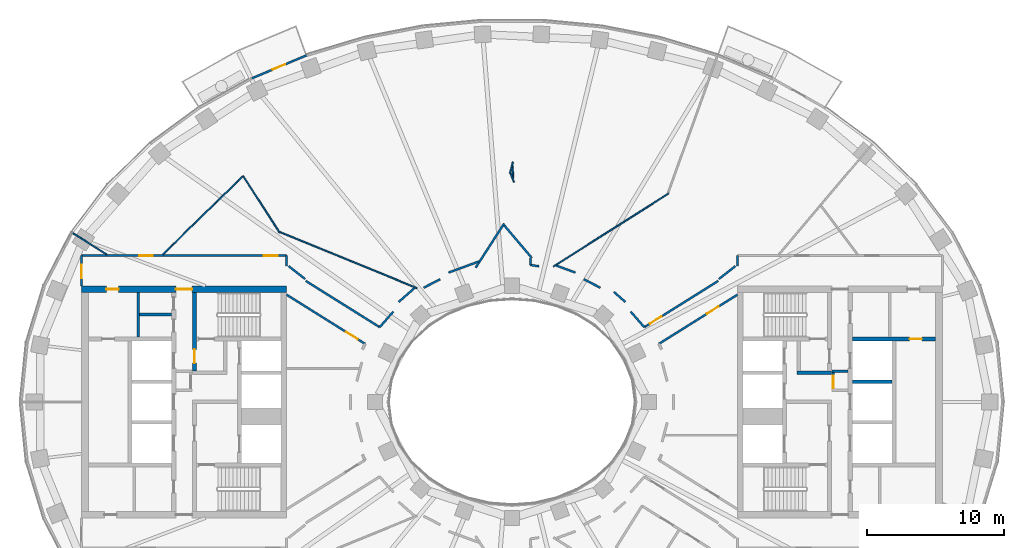
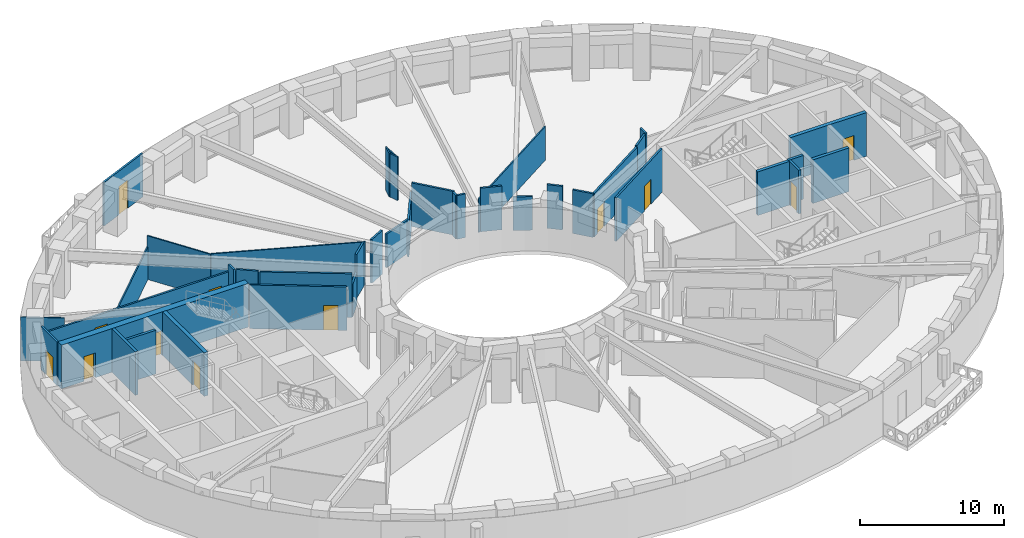
# One storey, part 6 of 15: 40 walls, 12 doors, 12 openings.
"""IFC4 building model written with IfcOpenShell, lengths in metres."""

import ifcopenshell
import ifcopenshell.guid

model = None  # the IFC model being written
_history = None  # IfcOwnerHistory: only IFC2X3 demands one
_inside = {}  # id of a spatial element -> (the spatial element, [elements in it])
_under = {}  # id of a project, library or spatial element -> (it, [spatial elements below it])
_declared = {}  # id of a project -> (the project, [libraries it declares])
_typed = {}  # id of a type object -> (the type object, [elements of that type])
_made_of = {}  # id of a material, layer set ... -> (it, [elements and type objects made of it])


def new_model(schema):
    """Start an empty IFC model of exactly this schema.

    Asked for "IFC4X3", IfcOpenShell would pick the latest addendum, in which some entities
    have other attributes; the version numbers below select the first issue.
    IFC2X3 requires an IfcOwnerHistory on every rooted entity: one is made here for all.
    """
    global model, _history
    if schema == "IFC4X3":
        model = ifcopenshell.file(schema_version=(4, 3, 0, 0))
    else:
        model = ifcopenshell.file(schema=schema)
    _inside.clear()
    _under.clear()
    _declared.clear()
    _typed.clear()
    _made_of.clear()
    _history = None
    if model.schema == "IFC2X3":
        org = make("IfcOrganization", Name="unknown")
        user = make(
            "IfcPersonAndOrganization",
            ThePerson=make("IfcPerson", FamilyName="unknown"),
            TheOrganization=org,
        )
        app = make(
            "IfcApplication",
            ApplicationDeveloper=org,
            Version="unknown",
            ApplicationFullName="unknown",
            ApplicationIdentifier="unknown",
        )
        _history = make(
            "IfcOwnerHistory",
            OwningUser=user,
            OwningApplication=app,
            ChangeAction="ADDED",
            CreationDate=0,
        )
    return model


def make(cls, **values):
    """One entity of the class cls with the attributes given. An attribute that is None is left unset."""
    return model.create_entity(
        cls, **{name: value for name, value in values.items() if value is not None}
    )


def rooted(cls, **values):
    """An entity with a GlobalId (a new one), such as an element, a storey or a relation."""
    return make(cls, GlobalId=ifcopenshell.guid.new(), OwnerHistory=_history, **values)


def si_unit(unit_type, name, prefix=None):
    """IfcSIUnit, for example si_unit("LENGTHUNIT", "METRE", prefix="MILLI")."""
    return make("IfcSIUnit", UnitType=unit_type, Prefix=prefix, Name=name)


def assignment(units):
    """IfcUnitAssignment: the units of a project."""
    return None if units is None else make("IfcUnitAssignment", Units=units)


def point(xyz):
    """IfcCartesianPoint."""
    return None if xyz is None else make("IfcCartesianPoint", Coordinates=xyz)


def direction(xyz):
    """IfcDirection."""
    return None if xyz is None else make("IfcDirection", DirectionRatios=xyz)


def frame(location, z_axis=None, x_axis=None):
    """IfcAxis2Placement3D, a coordinate frame: its origin and axes. An axis left out is left unset."""
    return make(
        "IfcAxis2Placement3D",
        Location=point(location),
        Axis=direction(z_axis),
        RefDirection=direction(x_axis),
    )


def frame_2d(location, x_axis=None):
    """IfcAxis2Placement2D, a coordinate frame in the plane: its origin and x axis."""
    return make(
        "IfcAxis2Placement2D", Location=point(location), RefDirection=direction(x_axis)
    )


def origin():
    """The frame at (0, 0, 0) with its axes left unset."""
    return frame((0.0, 0.0, 0.0))


def place(relative_to, where):
    """IfcLocalPlacement: puts the frame where relative to a parent placement (None: the world)."""
    return make(
        "IfcLocalPlacement", PlacementRelTo=relative_to, RelativePlacement=where
    )


def context(
    kind, dimensions, precision=None, world=None, true_north=None, identifier=None
):
    """IfcGeometricRepresentationContext, for example the 3D "Model" context."""
    return make(
        "IfcGeometricRepresentationContext",
        ContextIdentifier=identifier,
        ContextType=kind,
        CoordinateSpaceDimension=dimensions,
        Precision=precision,
        WorldCoordinateSystem=world,
        TrueNorth=true_north,
    )


def subcontext(parent, identifier, kind, view, scale=None):
    """IfcGeometricRepresentationSubContext, for example "Body" below "Model"."""
    return make(
        "IfcGeometricRepresentationSubContext",
        ContextIdentifier=identifier,
        ContextType=kind,
        ParentContext=parent,
        TargetScale=scale,
        TargetView=view,
    )


def project(units=None, contexts=None):
    """IfcProject with its units and contexts."""
    return rooted(
        "IfcProject",
        Name="project",
        RepresentationContexts=contexts,
        UnitsInContext=assignment(units),
    )


def spatial(cls, under=None, at=None, **own):
    """A site, building, storey or space (cls), placed at a placement, below another one or the project."""
    s = rooted(cls, ObjectPlacement=at, **own)
    if under is not None:
        _under.setdefault(under.id(), (under, []))[1].append(s)
    return s


def profile(cls, at=None, kind="AREA", **sizes):
    """A parametric profile (cls). Its sizes go by their IFC names, for example OverallWidth=200.0."""
    return make(cls, ProfileType=kind, Position=at, **sizes)


def rectangle(**sizes):
    """IfcRectangleProfileDef."""
    return profile("IfcRectangleProfileDef", **sizes)


def extrude(swept, where, along, depth):
    """IfcExtrudedAreaSolid: the profile swept, set in the frame where, extruded along a direction by depth."""
    return make(
        "IfcExtrudedAreaSolid",
        SweptArea=swept,
        Position=where,
        ExtrudedDirection=direction(along),
        Depth=depth,
    )


def shape(context_of_items, identifier, shape_type, items):
    """IfcShapeRepresentation: the items that make up one representation, for example the "Body"."""
    return make(
        "IfcShapeRepresentation",
        ContextOfItems=context_of_items,
        RepresentationIdentifier=identifier,
        RepresentationType=shape_type,
        Items=items,
    )


def material(Name=None, Category=None):
    """IfcMaterial."""
    return make("IfcMaterial", Name=Name, Category=Category)


def layer(
    of_material, thickness, ventilated=None, Name=None, Category=None, Priority=None
):
    """IfcMaterialLayer: one layer of a wall or slab, of a material (None: an air gap)."""
    return make(
        "IfcMaterialLayer",
        Material=of_material,
        LayerThickness=thickness,
        IsVentilated=ventilated,
        Name=Name,
        Category=Category,
        Priority=Priority,
    )


def layer_set(layers, Name=None):
    """IfcMaterialLayerSet."""
    return make("IfcMaterialLayerSet", MaterialLayers=layers, LayerSetName=Name)


def made_of(thing, what):
    """Note that an element or type object is made of a material, layer set ...; save() writes the relation."""
    if what is not None:
        _made_of.setdefault(what.id(), (what, []))[1].append(thing)
    return thing


def type_object(cls, material=None, **own):
    """A type object (cls), such as IfcWallType, which elements share."""
    return made_of(rooted(cls, **own), material)


def element(
    cls,
    number,
    at=None,
    inside=None,
    cuts=None,
    type_object=None,
    material=None,
    context=None,
    identifier="Body",
    shape_type=None,
    held_by="IfcProductDefinitionShape",
    body=None,
    shapes=None,
    **own,
):
    """One element of the class cls, such as IfcWall. Its Tag is "e" and its number.

    at: its placement. inside: the storey or other place that contains it. cuts: it is an
    opening in that element (IfcRelVoidsElement). A single representation is given by context,
    identifier, shape_type and body (its items); several are given by shapes. held_by: the class
    of the entity that holds the representations. save() writes the other relations.
    """
    e = rooted(cls, Tag="e%d" % number, ObjectPlacement=at, **own)
    if body is not None:
        shapes = [shape(context, identifier, shape_type, body)]
    if shapes is not None:
        e.Representation = make(held_by, Representations=shapes)
    if inside is not None:
        _inside.setdefault(inside.id(), (inside, []))[1].append(e)
    if cuts is not None:
        rooted(
            "IfcRelVoidsElement", RelatingBuildingElement=cuts, RelatedOpeningElement=e
        )
    if type_object is not None:
        _typed.setdefault(type_object.id(), (type_object, []))[1].append(e)
    return made_of(e, material)


def fill(opening, filler):
    """IfcRelFillsElement: the door or window that sits in an opening."""
    return rooted(
        "IfcRelFillsElement",
        RelatingOpeningElement=opening,
        RelatedBuildingElement=filler,
    )


def aggregate(whole, parts):
    """IfcRelAggregates: a whole, such as a stair, and the parts it consists of."""
    return rooted("IfcRelAggregates", RelatingObject=whole, RelatedObjects=parts)


def save(model, path):
    """Write the relations noted so far, then the file.

    IfcRelAggregates (storeys below a building ...), IfcRelContainedInSpatialStructure (elements
    in a storey), IfcRelDefinesByType, IfcRelAssociatesMaterial and IfcRelDeclares: one each for
    every whole, place, type object, material and project.
    """
    for whole, parts in _under.values():
        aggregate(whole, parts)
    for where, things in _inside.values():
        rooted(
            "IfcRelContainedInSpatialStructure",
            RelatedElements=things,
            RelatingStructure=where,
        )
    for kind, things in _typed.values():
        rooted("IfcRelDefinesByType", RelatedObjects=things, RelatingType=kind)
    for what, things in _made_of.values():
        rooted("IfcRelAssociatesMaterial", RelatedObjects=things, RelatingMaterial=what)
    for by, libraries in _declared.values():
        rooted("IfcRelDeclares", RelatingContext=by, RelatedDefinitions=libraries)
    model.write(path)


model = new_model("IFC4")

# Units and contexts
model_context = context("Model", 3, precision=1e-05, world=origin(), true_north=direction((0.0, 1.0)))
body_context = subcontext(model_context, "Body", "Model", "MODEL_VIEW")
ifc_project = project(units=[si_unit("LENGTHUNIT", "METRE"), si_unit("AREAUNIT", "SQUARE_METRE"), si_unit("VOLUMEUNIT", "CUBIC_METRE"), si_unit("PLANEANGLEUNIT", "RADIAN"), si_unit("MASSUNIT", "GRAM", prefix="KILO")], contexts=[model_context])

# Site, building, storey
site_placement = place(None, origin())
site = spatial("IfcSite", under=ifc_project, at=site_placement, CompositionType="ELEMENT")
building_placement = place(site_placement, origin())
building = spatial("IfcBuilding", under=site, at=building_placement, Name="Noorbagh Ring Tower", CompositionType="ELEMENT")
storey_placement = place(building_placement, frame((0.0, 0.0, 158.0)))
storey = spatial("IfcBuildingStorey", under=building, at=storey_placement, Name="L36", CompositionType="ELEMENT", Elevation=158.0)

# Walls
ifc_material_1 = material(Name="Gypsum board on steel studs", Category="steel")
ifc_layer_1 = layer(ifc_material_1, 0.199951171875)
ifc_layer_set_1 = layer_set([ifc_layer_1], Name="Gypsum board on steel studs")
wall_type_1 = type_object("IfcWallType", Name="CORE-PARTITION-200", PredefinedType="PARTITIONING", material=ifc_layer_set_1)
wall_1_placement = place(storey_placement, frame((-27.35009765625, 4.75, 0.0), z_axis=(0.0, 0.0, 1.0), x_axis=(0.0, 1.0, 0.0)))
element("IfcWall", 1, at=wall_1_placement, inside=storey, type_object=wall_type_1, Name="Core partition W", PredefinedType="PARTITIONING", context=body_context, shape_type="SweptSolid", body=[
    extrude(rectangle(XDim=3.25, YDim=0.199951171875, at=frame_2d((1.625, 0.0))), origin(), (0.0, 0.0, 1.0), 3.699951171875),
])
wall_2_placement = place(storey_placement, frame((-24.89990234375, 6.39990234375, 0.0), z_axis=(0.0, 0.0, 1.0), x_axis=(-1.0, 0.0, 0.0)))
element("IfcWall", 2, at=wall_2_placement, inside=storey, type_object=wall_type_1, Name="Core partition W", PredefinedType="PARTITIONING", context=body_context, shape_type="SweptSolid", body=[
    extrude(rectangle(XDim=2.35009765625, YDim=0.199951171875, at=frame_2d((1.175048828125, 0.0))), origin(), (0.0, 0.0, 1.0), 3.699951171875),
])
wall_3_placement = place(storey_placement, frame((23.39990234375, 2.25, 0.0), z_axis=(0.0, 0.0, 1.0), x_axis=(1.0, 0.0, 0.0)))
element("IfcWall", 3, at=wall_3_placement, inside=storey, type_object=wall_type_1, Name="Core partition E", PredefinedType="PARTITIONING", context=body_context, shape_type="SweptSolid", body=[
    extrude(rectangle(XDim=1.2001953125, YDim=0.199951171875, at=frame_2d((0.60009765625, 0.0))), origin(), (0.0, 0.0, 1.0), 3.699951171875),
])

# Wall, opening, door
wall_4_placement = place(storey_placement, frame((23.5, 0.75, 0.0), z_axis=(0.0, 0.0, 1.0), x_axis=(0.0, 1.0, 0.0)))
wall_4 = element("IfcWall", 4, at=wall_4_placement, inside=storey, type_object=wall_type_1, Name="Core partition E", PredefinedType="PARTITIONING", context=body_context, shape_type="SweptSolid", body=[
    extrude(rectangle(XDim=1.60009765625, YDim=0.199951171875, at=frame_2d((0.800048828125, 0.0))), origin(), (0.0, 0.0, 1.0), 3.699951171875),
])
opening_1_placement = place(wall_4_placement, frame((0.25, 0.0, 0.0)))
opening_1 = element("IfcOpeningElement", 5, at=opening_1_placement, cuts=wall_4, Name="Opening L36-CE17", PredefinedType="OPENING", context=body_context, shape_type="SweptSolid", body=[
    extrude(rectangle(XDim=0.89990234375, YDim=2.10009765625, at=frame_2d((0.449951171875, 1.050048828125))), frame((0.0, 0.10986328125, 0.0), z_axis=(0.0, -1.0, 0.0), x_axis=(1.0, 0.0, 0.0)), (0.0, 0.0, 1.0), 0.219970703125),
])
ifc_material_2 = material(Name="Steel door leaf", Category="steel")
door_type_1 = type_object("IfcDoorType", Name="CORE-DOOR-DROOM", OperationType="SINGLE_SWING_LEFT", PredefinedType="DOOR", material=ifc_material_2)
door_1_placement = place(opening_1_placement, origin())
door_1 = element("IfcDoor", 6, at=door_1_placement, inside=storey, type_object=door_type_1, Name="Core room door L36-CE17", OperationType="SINGLE_SWING_LEFT", OverallHeight=2.10009765625, OverallWidth=0.89990234375, PredefinedType="DOOR", context=body_context, shape_type="SweptSolid", body=[
    extrude(rectangle(XDim=0.89990234375, YDim=2.10009765625, at=frame_2d((0.449951171875, 1.050048828125))), frame((0.0, 0.02490234375, 0.0), z_axis=(0.0, -1.0, 0.0), x_axis=(1.0, 0.0, 0.0)), (0.0, 0.0, 1.0), 0.050048828125),
])
fill(opening_1, door_1)

# Walls
ifc_material_3 = material(Name="Concrete C60/75", Category="concrete")
ifc_layer_2 = layer(ifc_material_3, 0.25)
ifc_layer_set_2 = layer_set([ifc_layer_2], Name="Concrete C60/75")
wall_type_2 = type_object("IfcWallType", Name="CORE-WALL-250-C60-75-EI120", PredefinedType="SHEAR", material=ifc_layer_set_2)
wall_5_placement = place(storey_placement, frame((24.89990234375, 1.47509765625, 0.0), z_axis=(0.0, 0.0, 1.0), x_axis=(1.0, 0.0, 0.0)))
element("IfcWall", 7, at=wall_5_placement, inside=storey, type_object=wall_type_2, Name="Core wall E", PredefinedType="SHEAR", context=body_context, shape_type="SweptSolid", body=[
    extrude(rectangle(XDim=2.900146484375, YDim=0.25, at=frame_2d((1.4501953125, 0.0))), origin(), (0.0, 0.0, 1.0), 3.699951171875),
])
ifc_material_4 = material(Name="Concrete C60/75", Category="concrete")
ifc_layer_3 = layer(ifc_material_4, 0.25)
ifc_layer_set_3 = layer_set([ifc_layer_3], Name="Concrete C60/75")
wall_type_3 = type_object("IfcWallType", Name="CORE-WALL-250-C60-75-EI240", PredefinedType="SHEAR", material=ifc_layer_set_3)
wall_6_placement = place(storey_placement, frame((20.85009765625, 2.125, 0.0), z_axis=(0.0, 0.0, 1.0), x_axis=(1.0, 0.0, 0.0)))
element("IfcWall", 8, at=wall_6_placement, inside=storey, type_object=wall_type_3, Name="Core wall E", PredefinedType="SHEAR", context=body_context, shape_type="SweptSolid", body=[
    extrude(rectangle(XDim=2.52978515625, YDim=0.25, at=frame_2d((1.264892578125, 0.0))), origin(), (0.0, 0.0, 1.0), 3.699951171875),
])

# Wall, opening, door
ifc_material_5 = material(Name="Concrete C60/75", Category="concrete")
ifc_layer_4 = layer(ifc_material_5, 0.300048828125)
ifc_layer_set_4 = layer_set([ifc_layer_4], Name="Concrete C60/75")
wall_type_4 = type_object("IfcWallType", Name="CORE-WALL-300-C60-75-EI240", PredefinedType="SHEAR", material=ifc_layer_set_4)
wall_7_placement = place(storey_placement, frame((-23.22998046875, 2.25, 0.0), z_axis=(0.0, 0.0, 1.0), x_axis=(0.0, 1.0, 0.0)))
wall_7 = element("IfcWall", 9, at=wall_7_placement, inside=storey, type_object=wall_type_4, Name="Core wall W", PredefinedType="SHEAR", context=body_context, shape_type="SweptSolid", body=[
    extrude(rectangle(XDim=5.75, YDim=0.300048828125, at=frame_2d((2.875, 0.0))), origin(), (0.0, 0.0, 1.0), 3.699951171875),
])
opening_2_placement = place(wall_7_placement, frame((0.60009765625, 0.0, 0.0)))
opening_2 = element("IfcOpeningElement", 10, at=opening_2_placement, cuts=wall_7, Name="Opening L36-CW09", PredefinedType="OPENING", context=body_context, shape_type="SweptSolid", body=[
    extrude(rectangle(XDim=1.0, YDim=2.10009765625, at=frame_2d((0.5, 1.050048828125))), frame((0.0, 0.16015625, 0.0), z_axis=(0.0, -1.0, 0.0), x_axis=(1.0, 0.0, 0.0)), (0.0, 0.0, 1.0), 0.320068359375),
])
ifc_material_6 = material(Name="Steel door leaf", Category="steel")
door_type_2 = type_object("IfcDoorType", Name="CORE-DOOR-DVEST", OperationType="SINGLE_SWING_LEFT", PredefinedType="DOOR", material=ifc_material_6)
door_2_placement = place(opening_2_placement, origin())
door_2 = element("IfcDoor", 11, at=door_2_placement, inside=storey, type_object=door_type_2, Name="Stair vestibule door L36-CW09", OperationType="SINGLE_SWING_LEFT", OverallHeight=2.10009765625, OverallWidth=1.0, PredefinedType="DOOR", context=body_context, shape_type="SweptSolid", body=[
    extrude(rectangle(XDim=1.0, YDim=2.10009765625, at=frame_2d((0.5, 1.050048828125))), frame((0.0, 0.02490234375, 0.0), z_axis=(0.0, -1.0, 0.0), x_axis=(1.0, 0.0, 0.0)), (0.0, 0.0, 1.0), 0.050048828125),
])
fill(opening_2, door_2)

wall_8_placement = place(storey_placement, frame((24.89990234375, 4.60009765625, 0.0), z_axis=(0.0, 0.0, 1.0), x_axis=(1.0, 0.0, 0.0)))
wall_8 = element("IfcWall", 12, at=wall_8_placement, inside=storey, type_object=wall_type_4, Name="Core wall E", PredefinedType="SHEAR", context=body_context, shape_type="SweptSolid", body=[
    extrude(rectangle(XDim=6.10009765625, YDim=0.300048828125, at=frame_2d((3.050048828125, 0.0))), origin(), (0.0, 0.0, 1.0), 3.699951171875),
])
opening_3_placement = place(wall_8_placement, frame((4.199951171875, 0.0, 0.0)))
opening_3 = element("IfcOpeningElement", 13, at=opening_3_placement, cuts=wall_8, Name="Opening L36-CE18", PredefinedType="OPENING", context=body_context, shape_type="SweptSolid", body=[
    extrude(rectangle(XDim=0.89990234375, YDim=2.10009765625, at=frame_2d((0.449951171875, 1.050048828125))), frame((0.0, 0.16015625, 0.0), z_axis=(0.0, -1.0, 0.0), x_axis=(1.0, 0.0, 0.0)), (0.0, 0.0, 1.0), 0.320068359375),
])
door_3_placement = place(opening_3_placement, origin())
door_3 = element("IfcDoor", 14, at=door_3_placement, inside=storey, type_object=door_type_1, Name="Core room door L36-CE18", OperationType="SINGLE_SWING_RIGHT", OverallHeight=2.10009765625, OverallWidth=0.89990234375, PredefinedType="DOOR", context=body_context, shape_type="SweptSolid", body=[
    extrude(rectangle(XDim=0.89990234375, YDim=2.10009765625, at=frame_2d((0.449951171875, 1.050048828125))), frame((0.0, 0.02490234375, 0.0), z_axis=(0.0, -1.0, 0.0), x_axis=(1.0, 0.0, 0.0)), (0.0, 0.0, 1.0), 0.050048828125),
])
fill(opening_3, door_3)

# Wall, openings, doors
ifc_material_7 = material(Name="Concrete C60/75", Category="concrete")
ifc_layer_5 = layer(ifc_material_7, 0.5)
ifc_layer_set_5 = layer_set([ifc_layer_5], Name="Concrete C60/75")
wall_type_5 = type_object("IfcWallType", Name="CORE-WALL-500-C60-75-EI240", PredefinedType="SHEAR", material=ifc_layer_set_5)
wall_9_placement = place(storey_placement, frame((-16.5, 8.25, 0.0), z_axis=(0.0, 0.0, 1.0), x_axis=(-1.0, 0.0, 0.0)))
wall_9 = element("IfcWall", 15, at=wall_9_placement, inside=storey, type_object=wall_type_5, Name="Core wall W", PredefinedType="SHEAR", context=body_context, shape_type="SweptSolid", body=[
    extrude(rectangle(XDim=15.0, YDim=0.5, at=frame_2d((7.5, 0.0))), origin(), (0.0, 0.0, 1.0), 3.699951171875),
])
opening_4_placement = place(wall_9_placement, frame((6.89990234375, 0.0, 0.0)))
opening_4 = element("IfcOpeningElement", 16, at=opening_4_placement, cuts=wall_9, Name="Opening L36-CW10", PredefinedType="OPENING", context=body_context, shape_type="SweptSolid", body=[
    extrude(rectangle(XDim=1.199951171875, YDim=2.10009765625, at=frame_2d((0.60009765625, 1.050048828125))), frame((0.0, 0.260009765625, 0.0), z_axis=(0.0, -1.0, 0.0), x_axis=(1.0, 0.0, 0.0)), (0.0, 0.0, 1.0), 0.52001953125),
])
opening_5_placement = place(wall_9_placement, frame((12.27490234375, 0.0, 0.0)))
opening_5 = element("IfcOpeningElement", 17, at=opening_5_placement, cuts=wall_9, Name="Opening L36-CW14", PredefinedType="OPENING", context=body_context, shape_type="SweptSolid", body=[
    extrude(rectangle(XDim=0.89990234375, YDim=2.10009765625, at=frame_2d((0.449951171875, 1.050048828125))), frame((0.0, 0.260009765625, 0.0), z_axis=(0.0, -1.0, 0.0), x_axis=(1.0, 0.0, 0.0)), (0.0, 0.0, 1.0), 0.52001953125),
])
door_4_placement = place(opening_5_placement, origin())
door_4 = element("IfcDoor", 18, at=door_4_placement, inside=storey, type_object=door_type_1, Name="Core room door L36-CW14", OperationType="SINGLE_SWING_RIGHT", OverallHeight=2.10009765625, OverallWidth=0.89990234375, PredefinedType="DOOR", context=body_context, shape_type="SweptSolid", body=[
    extrude(rectangle(XDim=0.89990234375, YDim=2.10009765625, at=frame_2d((0.449951171875, 1.050048828125))), frame((0.0, 0.02490234375, 0.0), z_axis=(0.0, -1.0, 0.0), x_axis=(1.0, 0.0, 0.0)), (0.0, 0.0, 1.0), 0.050048828125),
])
fill(opening_5, door_4)
ifc_material_8 = material(Name="Steel door leaf", Category="steel")
door_type_3 = type_object("IfcDoorType", Name="CORE-DOOR-PORT", OperationType="DOUBLE_DOOR_DOUBLE_SWING", PredefinedType="DOOR", material=ifc_material_8)
door_5_placement = place(opening_4_placement, origin())
door_5 = element("IfcDoor", 19, at=door_5_placement, inside=storey, type_object=door_type_3, Name="Core entrance door L36-CW10", OperationType="DOUBLE_DOOR_DOUBLE_SWING", OverallHeight=2.10009765625, OverallWidth=1.199951171875, PredefinedType="DOOR", context=body_context, shape_type="SweptSolid", body=[
    extrude(rectangle(XDim=1.199951171875, YDim=2.10009765625, at=frame_2d((0.60009765625, 1.050048828125))), frame((0.0, 0.02490234375, 0.0), z_axis=(0.0, -1.0, 0.0), x_axis=(1.0, 0.0, 0.0)), (0.0, 0.0, 1.0), 0.050048828125),
])
fill(opening_4, door_5)

# Wall, opening, door
ifc_material_9 = material(Name="Gypsum board on steel studs", Category="steel")
ifc_layer_6 = layer(ifc_material_9, 0.14990234375)
ifc_layer_set_6 = layer_set([ifc_layer_6], Name="Gypsum board on steel studs")
wall_type_6 = type_object("IfcWallType", Name="CORRIDOR PARTITION 150 EI 30", PredefinedType="PARTITIONING", material=ifc_layer_set_6)
wall_10_placement = place(storey_placement, frame((-31.5, 8.5, 0.0), z_axis=(0.0, 0.0, 1.0), x_axis=(0.0, 1.0, 0.0)))
wall_10 = element("IfcWall", 20, at=wall_10_placement, inside=storey, type_object=wall_type_6, Name="L36/wall/P06", PredefinedType="PARTITIONING", context=body_context, shape_type="SweptSolid", body=[
    extrude(rectangle(XDim=2.199951171875, YDim=0.14990234375, at=frame_2d((1.10009765625, 0.0))), origin(), (0.0, 0.0, 1.0), 3.699951171875),
])
opening_6_placement = place(wall_10_placement, frame((0.550048828125, 0.0, 0.0)))
opening_6 = element("IfcOpeningElement", 21, at=opening_6_placement, cuts=wall_10, Name="Opening D1", PredefinedType="OPENING", context=body_context, shape_type="SweptSolid", body=[
    extrude(rectangle(XDim=1.0, YDim=2.10009765625, at=frame_2d((0.5, 1.050048828125))), frame((0.0, 0.0849609375, 0.0), z_axis=(0.0, -1.0, 0.0), x_axis=(1.0, 0.0, 0.0)), (0.0, 0.0, 1.0), 0.169921875),
])
ifc_material_10 = material(Name="Timber, painted", Category="wood")
door_type_4 = type_object("IfcDoorType", Name="DOOR 1000 X 2100 FD30", OperationType="SINGLE_SWING_LEFT", PredefinedType="DOOR", material=ifc_material_10)
door_6_placement = place(opening_6_placement, origin())
door_6 = element("IfcDoor", 22, at=door_6_placement, inside=storey, type_object=door_type_4, Name="L36-D07", OperationType="SINGLE_SWING_LEFT", OverallHeight=2.10009765625, OverallWidth=1.0, PredefinedType="DOOR", context=body_context, shape_type="SweptSolid", body=[
    extrude(rectangle(XDim=1.0, YDim=2.10009765625, at=frame_2d((0.5, 1.050048828125))), frame((0.0, 0.02490234375, 0.0), z_axis=(0.0, -1.0, 0.0), x_axis=(1.0, 0.0, 0.0)), (0.0, 0.0, 1.0), 0.050048828125),
])
fill(opening_6, door_6)

# Wall, openings, doors
wall_11_placement = place(storey_placement, frame((-31.5, 10.699951171875, 0.0), z_axis=(0.0, 0.0, 1.0), x_axis=(1.0, 0.0, 0.0)))
wall_11 = element("IfcWall", 23, at=wall_11_placement, inside=storey, type_object=wall_type_6, Name="L36/wall/P07", PredefinedType="PARTITIONING", context=body_context, shape_type="SweptSolid", body=[
    extrude(rectangle(XDim=15.0, YDim=0.14990234375, at=frame_2d((7.5, 0.0))), origin(), (0.0, 0.0, 1.0), 3.10009765625),
])
opening_7_placement = place(wall_11_placement, frame((4.2099609375, 0.0, 0.0)))
opening_7 = element("IfcOpeningElement", 24, at=opening_7_placement, cuts=wall_11, Name="Opening D1", PredefinedType="OPENING", context=body_context, shape_type="SweptSolid", body=[
    extrude(rectangle(XDim=1.0, YDim=2.10009765625, at=frame_2d((0.5, 1.050048828125))), frame((0.0, 0.0849609375, 0.0), z_axis=(0.0, -1.0, 0.0), x_axis=(1.0, 0.0, 0.0)), (0.0, 0.0, 1.0), 0.169921875),
])
opening_8_placement = place(wall_11_placement, frame((13.35009765625, 0.0, 0.0)))
opening_8 = element("IfcOpeningElement", 25, at=opening_8_placement, cuts=wall_11, Name="Opening D1", PredefinedType="OPENING", context=body_context, shape_type="SweptSolid", body=[
    extrude(rectangle(XDim=1.0, YDim=2.10009765625, at=frame_2d((0.5, 1.050048828125))), frame((0.0, 0.0849609375, 0.0), z_axis=(0.0, -1.0, 0.0), x_axis=(1.0, 0.0, 0.0)), (0.0, 0.0, 1.0), 0.169921875),
])
door_7_placement = place(opening_7_placement, origin())
door_7 = element("IfcDoor", 26, at=door_7_placement, inside=storey, type_object=door_type_4, Name="L36-D09", OperationType="SINGLE_SWING_LEFT", OverallHeight=2.10009765625, OverallWidth=1.0, PredefinedType="DOOR", context=body_context, shape_type="SweptSolid", body=[
    extrude(rectangle(XDim=1.0, YDim=2.10009765625, at=frame_2d((0.5, 1.050048828125))), frame((0.0, 0.02490234375, 0.0), z_axis=(0.0, -1.0, 0.0), x_axis=(1.0, 0.0, 0.0)), (0.0, 0.0, 1.0), 0.050048828125),
])
fill(opening_7, door_7)
door_8_placement = place(opening_8_placement, origin())
door_8 = element("IfcDoor", 27, at=door_8_placement, inside=storey, type_object=door_type_4, Name="L36-D11", OperationType="SINGLE_SWING_LEFT", OverallHeight=2.10009765625, OverallWidth=1.0, PredefinedType="DOOR", context=body_context, shape_type="SweptSolid", body=[
    extrude(rectangle(XDim=1.0, YDim=2.10009765625, at=frame_2d((0.5, 1.050048828125))), frame((0.0, 0.02490234375, 0.0), z_axis=(0.0, -1.0, 0.0), x_axis=(1.0, 0.0, 0.0)), (0.0, 0.0, 1.0), 0.050048828125),
])
fill(opening_8, door_8)

# Wall
wall_12_placement = place(storey_placement, frame((-16.5, 9.964111328125, 0.0), z_axis=(0.0, 0.0, 1.0), x_axis=(0.0, 1.0, 0.0)))
element("IfcWall", 28, at=wall_12_placement, inside=storey, type_object=wall_type_6, Name="L36/wall/P16", PredefinedType="PARTITIONING", context=body_context, shape_type="SweptSolid", body=[
    extrude(rectangle(XDim=0.73583984375, YDim=0.14990234375, at=frame_2d((0.367919921875, 0.0))), origin(), (0.0, 0.0, 1.0), 3.699951171875),
])

# Wall, opening, door
wall_13_placement = place(storey_placement, frame((-16.5, 7.85107421875, 0.0), z_axis=(0.0, 0.0, 1.0), x_axis=(0.847690706888, -0.530490777917, 0.0)))
wall_13 = element("IfcWall", 29, at=wall_13_placement, inside=storey, type_object=wall_type_6, Name="L36/wall/P18", PredefinedType="PARTITIONING", context=body_context, shape_type="SweptSolid", body=[
    extrude(rectangle(XDim=6.78076171875, YDim=0.14990234375, at=frame_2d((3.390380859375, 0.0))), origin(), (0.0, 0.0, 1.0), 3.699951171875),
])
opening_9_placement = place(wall_13_placement, frame((5.1513671875, 0.0, 0.0)))
opening_9 = element("IfcOpeningElement", 30, at=opening_9_placement, cuts=wall_13, Name="Opening D1", PredefinedType="OPENING", context=body_context, shape_type="SweptSolid", body=[
    extrude(rectangle(XDim=1.0, YDim=2.10009765625, at=frame_2d((0.5, 1.050048828125))), frame((0.0, 0.0849609375, 0.0), z_axis=(0.0, -1.0, 0.0), x_axis=(1.0, 0.0, 0.0)), (0.0, 0.0, 1.0), 0.169921875),
])
door_9_placement = place(opening_9_placement, origin())
door_9 = element("IfcDoor", 31, at=door_9_placement, inside=storey, type_object=door_type_4, Name="L36-D18", OperationType="SINGLE_SWING_RIGHT", OverallHeight=2.10009765625, OverallWidth=1.0, PredefinedType="DOOR", context=body_context, shape_type="SweptSolid", body=[
    extrude(rectangle(XDim=1.0, YDim=2.10009765625, at=frame_2d((0.5, 1.050048828125))), frame((0.0, 0.02490234375, 0.0), z_axis=(0.0, -1.0, 0.0), x_axis=(1.0, 0.0, 0.0)), (0.0, 0.0, 1.0), 0.050048828125),
])
fill(opening_9, door_9)

# Walls
wall_14_placement = place(storey_placement, frame((-15.089111328125, 8.85595703125, 0.0), z_axis=(0.0, 0.0, 1.0), x_axis=(0.847602682855, -0.530631408811, 0.0)))
element("IfcWall", 32, at=wall_14_placement, inside=storey, type_object=wall_type_6, Name="L36/wall/P20", PredefinedType="PARTITIONING", context=body_context, shape_type="SweptSolid", body=[
    extrude(rectangle(XDim=6.3828125, YDim=0.14990234375, at=frame_2d((3.19140625, 0.0))), origin(), (0.0, 0.0, 1.0), 3.699951171875),
])
wall_15_placement = place(storey_placement, frame((-9.678955078125, 5.468994140625, 0.0), z_axis=(0.0, 0.0, 1.0), x_axis=(0.656454677423, 0.75436546613, 0.0)))
element("IfcWall", 33, at=wall_15_placement, inside=storey, type_object=wall_type_6, Name="L36/wall/P27", PredefinedType="PARTITIONING", context=body_context, shape_type="SweptSolid", body=[
    extrude(rectangle(XDim=1.510986328125, YDim=0.14990234375, at=frame_2d((0.75537109375, 0.0))), origin(), (0.0, 0.0, 1.0), 2.75),
])
wall_16_placement = place(storey_placement, frame((-8.283935546875, 7.322021484375, 0.0), z_axis=(0.0, 0.0, 1.0), x_axis=(0.750666784408, 0.660680996235, 0.0)))
element("IfcWall", 34, at=wall_16_placement, inside=storey, type_object=wall_type_6, Name="L36/wall/P29", PredefinedType="PARTITIONING", context=body_context, shape_type="SweptSolid", body=[
    extrude(rectangle(XDim=1.5546875, YDim=0.14990234375, at=frame_2d((0.77734375, 0.0))), origin(), (0.0, 0.0, 1.0), 3.699951171875),
])
wall_17_placement = place(storey_placement, frame((-6.466064453125, 8.35595703125, 0.0), z_axis=(0.0, 0.0, 1.0), x_axis=(0.889472002788, 0.456989667559, 0.0)))
element("IfcWall", 35, at=wall_17_placement, inside=storey, type_object=wall_type_6, Name="L36/wall/P31", PredefinedType="PARTITIONING", context=body_context, shape_type="SweptSolid", body=[
    extrude(rectangle(XDim=1.354736328125, YDim=0.14990234375, at=frame_2d((0.67724609375, 0.0))), origin(), (0.0, 0.0, 1.0), 3.699951171875),
])
wall_18_placement = place(storey_placement, frame((-4.635986328125, 9.468017578125, 0.0), z_axis=(0.0, 0.0, 1.0), x_axis=(0.939059239116, 0.343755356949, 0.0)))
element("IfcWall", 36, at=wall_18_placement, inside=storey, type_object=wall_type_6, Name="L36/wall/P33", PredefinedType="PARTITIONING", context=body_context, shape_type="SweptSolid", body=[
    extrude(rectangle(XDim=2.3564453125, YDim=0.14990234375, at=frame_2d((1.17822265625, 0.0))), origin(), (0.0, 0.0, 1.0), 2.85009765625),
])
wall_19_placement = place(storey_placement, frame((-2.659912109375, 9.826904296875, 0.0), z_axis=(0.0, 0.0, 1.0), x_axis=(0.54249361556, 0.840059924694, 0.0)))
element("IfcWall", 37, at=wall_19_placement, inside=storey, type_object=wall_type_6, Name="L36/wall/P35", PredefinedType="PARTITIONING", context=body_context, shape_type="SweptSolid", body=[
    extrude(rectangle(XDim=3.835693359375, YDim=0.14990234375, at=frame_2d((1.91796875, 0.0))), origin(), (0.0, 0.0, 1.0), 2.85009765625),
])
wall_20_placement = place(storey_placement, frame((-0.571044921875, 12.923095703125, 0.0), z_axis=(0.0, 0.0, 1.0), x_axis=(0.646508532989, -0.762906754966, 0.0)))
element("IfcWall", 38, at=wall_20_placement, inside=storey, type_object=wall_type_6, Name="L36/wall/P37", PredefinedType="PARTITIONING", context=body_context, shape_type="SweptSolid", body=[
    extrude(rectangle(XDim=3.110595703125, YDim=0.14990234375, at=frame_2d((1.55517578125, 0.0))), origin(), (0.0, 0.0, 1.0), 3.699951171875),
])
wall_21_placement = place(storey_placement, frame((1.340087890625, 10.02197265625, 0.0), z_axis=(0.0, 0.0, 1.0), x_axis=(0.047890193459, 0.998852606429, 0.0)))
element("IfcWall", 39, at=wall_21_placement, inside=storey, type_object=wall_type_6, Name="L36/wall/P46", PredefinedType="PARTITIONING", context=body_context, shape_type="SweptSolid", body=[
    extrude(rectangle(XDim=0.49951171875, YDim=0.14990234375, at=frame_2d((0.249755859375, 0.0))), origin(), (0.0, 0.0, 1.0), 3.699951171875),
])
wall_22_placement = place(storey_placement, frame((1.340087890625, 10.02197265625, 0.0), z_axis=(0.0, 0.0, 1.0), x_axis=(0.988526694698, -0.151046264003, 0.0)))
element("IfcWall", 40, at=wall_22_placement, inside=storey, type_object=wall_type_6, Name="L36/wall/P47", PredefinedType="PARTITIONING", context=body_context, shape_type="SweptSolid", body=[
    extrude(rectangle(XDim=0.63525390625, YDim=0.14990234375, at=frame_2d((0.317626953125, 0.0))), origin(), (0.0, 0.0, 1.0), 3.699951171875),
])
wall_23_placement = place(storey_placement, frame((3.221923828125, 9.986083984375, 0.0), z_axis=(0.0, 0.0, 1.0), x_axis=(0.938967105432, -0.344006940215, 0.0)))
element("IfcWall", 41, at=wall_23_placement, inside=storey, type_object=wall_type_6, Name="L36/wall/P51", PredefinedType="PARTITIONING", context=body_context, shape_type="SweptSolid", body=[
    extrude(rectangle(XDim=1.505859375, YDim=0.14990234375, at=frame_2d((0.7529296875, 0.0))), origin(), (0.0, 0.0, 1.0), 3.699951171875),
])
wall_24_placement = place(storey_placement, frame((5.260986328125, 8.97509765625, 0.0), z_axis=(0.0, 0.0, 1.0), x_axis=(0.889472002788, -0.456989667559, 0.0)))
element("IfcWall", 42, at=wall_24_placement, inside=storey, type_object=wall_type_6, Name="L36/wall/P53", PredefinedType="PARTITIONING", context=body_context, shape_type="SweptSolid", body=[
    extrude(rectangle(XDim=1.354736328125, YDim=0.14990234375, at=frame_2d((0.67724609375, 0.0))), origin(), (0.0, 0.0, 1.0), 2.85009765625),
])
wall_25_placement = place(storey_placement, frame((7.4580078125, 8.049072265625, 0.0), z_axis=(0.0, 0.0, 1.0), x_axis=(0.75060787095, -0.660747927782, 0.0)))
element("IfcWall", 43, at=wall_25_placement, inside=storey, type_object=wall_type_6, Name="L36/wall/P55", PredefinedType="PARTITIONING", context=body_context, shape_type="SweptSolid", body=[
    extrude(rectangle(XDim=1.100341796875, YDim=0.14990234375, at=frame_2d((0.55029296875, 0.0))), origin(), (0.0, 0.0, 1.0), 3.699951171875),
])
wall_26_placement = place(storey_placement, frame((8.68701171875, 6.60888671875, 0.0), z_axis=(0.0, 0.0, 1.0), x_axis=(0.656454677423, -0.75436546613, 0.0)))
element("IfcWall", 44, at=wall_26_placement, inside=storey, type_object=wall_type_6, Name="L36/wall/P59", PredefinedType="PARTITIONING", context=body_context, shape_type="SweptSolid", body=[
    extrude(rectangle(XDim=1.510986328125, YDim=0.14990234375, at=frame_2d((0.75537109375, 0.0))), origin(), (0.0, 0.0, 1.0), 3.699951171875),
])

# Wall, opening, door
wall_27_placement = place(storey_placement, frame((9.678955078125, 5.468994140625, 0.0), z_axis=(0.0, 0.0, 1.0), x_axis=(0.847602682855, 0.530631408811, 0.0)))
wall_27 = element("IfcWall", 45, at=wall_27_placement, inside=storey, type_object=wall_type_6, Name="L36/wall/P62", PredefinedType="PARTITIONING", context=body_context, shape_type="SweptSolid", body=[
    extrude(rectangle(XDim=6.3828125, YDim=0.14990234375, at=frame_2d((3.19140625, 0.0))), origin(), (0.0, 0.0, 1.0), 3.699951171875),
])
opening_10_placement = place(wall_27_placement, frame((0.48291015625, 0.0, 0.0)))
opening_10 = element("IfcOpeningElement", 46, at=opening_10_placement, cuts=wall_27, Name="Opening D1", PredefinedType="OPENING", context=body_context, shape_type="SweptSolid", body=[
    extrude(rectangle(XDim=1.0, YDim=2.10009765625, at=frame_2d((0.5, 1.050048828125))), frame((0.0, 0.0849609375, 0.0), z_axis=(0.0, -1.0, 0.0), x_axis=(1.0, 0.0, 0.0)), (0.0, 0.0, 1.0), 0.169921875),
])
door_10_placement = place(opening_10_placement, origin())
door_10 = element("IfcDoor", 47, at=door_10_placement, inside=storey, type_object=door_type_4, Name="L36-D12", OperationType="SINGLE_SWING_RIGHT", OverallHeight=2.10009765625, OverallWidth=1.0, PredefinedType="DOOR", context=body_context, shape_type="SweptSolid", body=[
    extrude(rectangle(XDim=1.0, YDim=2.10009765625, at=frame_2d((0.5, 1.050048828125))), frame((0.0, 0.02490234375, 0.0), z_axis=(0.0, -1.0, 0.0), x_axis=(1.0, 0.0, 0.0)), (0.0, 0.0, 1.0), 0.050048828125),
])
fill(opening_10, door_10)

wall_28_placement = place(storey_placement, frame((10.751953125, 4.25390625, 0.0), z_axis=(0.0, 0.0, 1.0), x_axis=(0.847690706888, 0.530490777917, 0.0)))
wall_28 = element("IfcWall", 48, at=wall_28_placement, inside=storey, type_object=wall_type_6, Name="L36/wall/P67", PredefinedType="PARTITIONING", context=body_context, shape_type="SweptSolid", body=[
    extrude(rectangle(XDim=6.78076171875, YDim=0.14990234375, at=frame_2d((3.390380859375, 0.0))), origin(), (0.0, 0.0, 1.0), 3.699951171875),
])
opening_11_placement = place(wall_28_placement, frame((4.14990234375, 0.0, 0.0)))
opening_11 = element("IfcOpeningElement", 49, at=opening_11_placement, cuts=wall_28, Name="Opening D1", PredefinedType="OPENING", context=body_context, shape_type="SweptSolid", body=[
    extrude(rectangle(XDim=1.0, YDim=2.10009765625, at=frame_2d((0.5, 1.050048828125))), frame((0.0, 0.0849609375, 0.0), z_axis=(0.0, -1.0, 0.0), x_axis=(1.0, 0.0, 0.0)), (0.0, 0.0, 1.0), 0.169921875),
])
door_11_placement = place(opening_11_placement, origin())
door_11 = element("IfcDoor", 50, at=door_11_placement, inside=storey, type_object=door_type_4, Name="L36-D20", OperationType="SINGLE_SWING_RIGHT", OverallHeight=2.10009765625, OverallWidth=1.0, PredefinedType="DOOR", context=body_context, shape_type="SweptSolid", body=[
    extrude(rectangle(XDim=1.0, YDim=2.10009765625, at=frame_2d((0.5, 1.050048828125))), frame((0.0, 0.02490234375, 0.0), z_axis=(0.0, -1.0, 0.0), x_axis=(1.0, 0.0, 0.0)), (0.0, 0.0, 1.0), 0.050048828125),
])
fill(opening_11, door_11)

# Walls
wall_29_placement = place(storey_placement, frame((16.5, 9.964111328125, 0.0), z_axis=(0.0, 0.0, 1.0), x_axis=(0.0, 1.0, 0.0)))
element("IfcWall", 51, at=wall_29_placement, inside=storey, type_object=wall_type_6, Name="L36/wall/P81", PredefinedType="PARTITIONING", context=body_context, shape_type="SweptSolid", body=[
    extrude(rectangle(XDim=0.73583984375, YDim=0.14990234375, at=frame_2d((0.367919921875, 0.0))), origin(), (0.0, 0.0, 1.0), 3.699951171875),
])
for number, where, z_axis, x_axis, name in (
    (52, (-16.35205078125, 9.94189453125, 0.0), (0.0, 0.0, 1.0), (0.788950226826, -0.614457109643, 0.0), "L36/wall/P92"),
    (53, (15.138916015625, 8.9970703125, 0.0), (0.0, 0.0, 1.0), (0.788950226826, 0.614457109643, 0.0), "L36/wall/P94"),
):
    element("IfcWall", number, at=place(storey_placement, frame(where, z_axis=z_axis, x_axis=x_axis)), inside=storey, type_object=wall_type_6, Name=name, PredefinedType="PARTITIONING", context=body_context, shape_type="SweptSolid", body=[
        extrude(rectangle(XDim=1.53759765625, YDim=0.14990234375, at=frame_2d((0.768798828125, 0.0))), origin(), (0.0, 0.0, 1.0), 3.699951171875),
    ])

# Wall, opening, door
ifc_material_11 = material(Name="Insulated aluminium clad panel", Category="aluminium")
ifc_layer_7 = layer(ifc_material_11, 0.14990234375)
ifc_layer_set_7 = layer_set([ifc_layer_7], Name="Insulated aluminium clad panel")
wall_type_7 = type_object("IfcWallType", Name="ENV-WALL-DOOR", PredefinedType="STANDARD", material=ifc_layer_set_7)
wall_30_placement = place(storey_placement, frame((-15.017822265625, 25.368896484375, 0.0), z_axis=(0.0, 0.0, 1.0), x_axis=(-0.921816985161, -0.387625393736, 0.0)))
wall_30 = element("IfcWall", 54, at=wall_30_placement, inside=storey, type_object=wall_type_7, Name="Balcony door wall chord 16", PredefinedType="STANDARD", context=body_context, shape_type="SweptSolid", body=[
    extrude(rectangle(XDim=4.42578125, YDim=0.14990234375, at=frame_2d((2.212890625, 0.0))), origin(), (0.0, 0.0, 1.0), 3.699951171875),
])
opening_12_placement = place(wall_30_placement, frame((1.712890625, 0.0, 0.0)))
opening_12 = element("IfcOpeningElement", 55, at=opening_12_placement, cuts=wall_30, Name="Opening D-BL", PredefinedType="OPENING", context=body_context, shape_type="SweptSolid", body=[
    extrude(rectangle(XDim=1.0, YDim=2.39990234375, at=frame_2d((0.5, 1.199951171875))), frame((0.0, 0.0849609375, 0.0), z_axis=(0.0, -1.0, 0.0), x_axis=(1.0, 0.0, 0.0)), (0.0, 0.0, 1.0), 0.169921875),
])
ifc_material_12 = material(Name="Aluminium and glass", Category="aluminium")
door_type_5 = type_object("IfcDoorType", Name="ENV-DOOR-BALCONY", OperationType="SINGLE_SWING_LEFT", PredefinedType="DOOR", material=ifc_material_12)
door_12_placement = place(opening_12_placement, origin())
door_12 = element("IfcDoor", 56, at=door_12_placement, inside=storey, type_object=door_type_5, Name="Balcony door chord 16", OperationType="SINGLE_SWING_LEFT", OverallHeight=2.39990234375, OverallWidth=1.0, PredefinedType="DOOR", context=body_context, shape_type="SweptSolid", body=[
    extrude(rectangle(XDim=1.0, YDim=2.39990234375, at=frame_2d((0.5, 1.199951171875))), frame((0.0, 0.02490234375, 0.0), z_axis=(0.0, -1.0, 0.0), x_axis=(1.0, 0.0, 0.0)), (0.0, 0.0, 1.0), 0.050048828125),
])
fill(opening_12, door_12)

# Walls
ifc_material_13 = material(Name="Gypsum board on steel studs", Category="steel")
ifc_layer_8 = layer(ifc_material_13, 0.10009765625)
ifc_layer_set_8 = layer_set([ifc_layer_8], Name="Gypsum board on steel studs")
wall_type_8 = type_object("IfcWallType", Name="PARTITION 100 GYPSUM", PredefinedType="PARTITIONING", material=ifc_layer_set_8)
wall_31_placement = place(storey_placement, frame((-32.2119140625, 12.407958984375, 0.0), z_axis=(0.0, 0.0, 1.0), x_axis=(0.844810627195, -0.535065420467, 0.0)))
element("IfcWall", 57, at=wall_31_placement, inside=storey, type_object=wall_type_8, Name="L36/wall/P03", PredefinedType="PARTITIONING", context=body_context, shape_type="SweptSolid", body=[
    extrude(rectangle(XDim=3.0478515625, YDim=0.10009765625, at=frame_2d((1.52392578125, 0.0))), origin(), (0.0, 0.0, 1.0), 3.699951171875),
])
wall_32_placement = place(storey_placement, frame((-25.56591796875, 10.778076171875, 0.0), z_axis=(0.0, 0.0, 1.0), x_axis=(0.715430617602, 0.698683784982, 0.0)))
element("IfcWall", 58, at=wall_32_placement, inside=storey, type_object=wall_type_8, Name="L36/wall/P09", PredefinedType="PARTITIONING", context=body_context, shape_type="SweptSolid", body=[
    extrude(rectangle(XDim=8.23681640625, YDim=0.10009765625, at=frame_2d((4.118408203125, 0.0))), origin(), (0.0, 0.0, 1.0), 2.75),
])
wall_33_placement = place(storey_placement, frame((-19.673095703125, 16.532958984375, 0.0), z_axis=(0.0, 0.0, 1.0), x_axis=(0.542297022656, -0.840186847801, 0.0)))
element("IfcWall", 59, at=wall_33_placement, inside=storey, type_object=wall_type_8, Name="L36/wall/P11", PredefinedType="PARTITIONING", context=body_context, shape_type="SweptSolid", body=[
    extrude(rectangle(XDim=4.9345703125, YDim=0.10009765625, at=frame_2d((2.46728515625, 0.0))), origin(), (0.0, 0.0, 1.0), 3.699951171875),
])
wall_34_placement = place(storey_placement, frame((-16.962890625, 12.427001953125, 0.0), z_axis=(0.0, 0.0, 1.0), x_axis=(0.925484473487, -0.378785545308, 0.0)))
element("IfcWall", 60, at=wall_34_placement, inside=storey, type_object=wall_type_8, Name="L36/wall/P13", PredefinedType="PARTITIONING", context=body_context, shape_type="SweptSolid", body=[
    extrude(rectangle(XDim=10.83203125, YDim=0.10009765625, at=frame_2d((5.416015625, 0.0))), origin(), (0.0, 0.0, 1.0), 3.699951171875),
])
wall_35_placement = place(storey_placement, frame((-0.14306640625, 16.715087890625, 0.0), z_axis=(0.0, 0.0, 1.0), x_axis=(0.239035325833, 0.971010871723, 0.0)))
element("IfcWall", 61, at=wall_35_placement, inside=storey, type_object=wall_type_8, Name="L36/wall/P40", PredefinedType="PARTITIONING", context=body_context, shape_type="SweptSolid", body=[
    extrude(rectangle(XDim=0.8701171875, YDim=0.10009765625, at=frame_2d((0.43505859375, 0.0))), origin(), (0.0, 0.0, 1.0), 3.699951171875),
])
wall_36_placement = place(storey_placement, frame((-0.090087890625, 16.718017578125, 0.0), z_axis=(0.0, 0.0, 1.0), x_axis=(0.337140043393, -0.94145450827, 0.0)))
element("IfcWall", 62, at=wall_36_placement, inside=storey, type_object=wall_type_8, Name="L36/wall/P41", PredefinedType="PARTITIONING", context=body_context, shape_type="SweptSolid", body=[
    extrude(rectangle(XDim=0.67333984375, YDim=0.10009765625, at=frame_2d((0.336669921875, 0.0))), origin(), (0.0, 0.0, 1.0), 3.699951171875),
])
wall_37_placement = place(storey_placement, frame((0.0400390625, 17.278076171875, 0.0), z_axis=(0.0, 0.0, 1.0), x_axis=(0.047868385867, -0.99885365176, 0.0)))
element("IfcWall", 63, at=wall_37_placement, inside=storey, type_object=wall_type_8, Name="L36/wall/P43", PredefinedType="PARTITIONING", context=body_context, shape_type="SweptSolid", body=[
    extrude(rectangle(XDim=0.91796875, YDim=0.10009765625, at=frame_2d((0.458984375, 0.0))), origin(), (0.0, 0.0, 1.0), 3.699951171875),
])
wall_38_placement = place(storey_placement, frame((3.035888671875, 9.9150390625, 0.0), z_axis=(0.0, 0.0, 1.0), x_axis=(0.844792135558, 0.535094615652, 0.0)))
element("IfcWall", 64, at=wall_38_placement, inside=storey, type_object=wall_type_8, Name="L36/wall/P49", PredefinedType="PARTITIONING", context=body_context, shape_type="SweptSolid", body=[
    extrude(rectangle(XDim=9.96826171875, YDim=0.10009765625, at=frame_2d((4.984130859375, 0.0))), origin(), (0.0, 0.0, 1.0), 2.85009765625),
])

save(model, "model.ifc")
